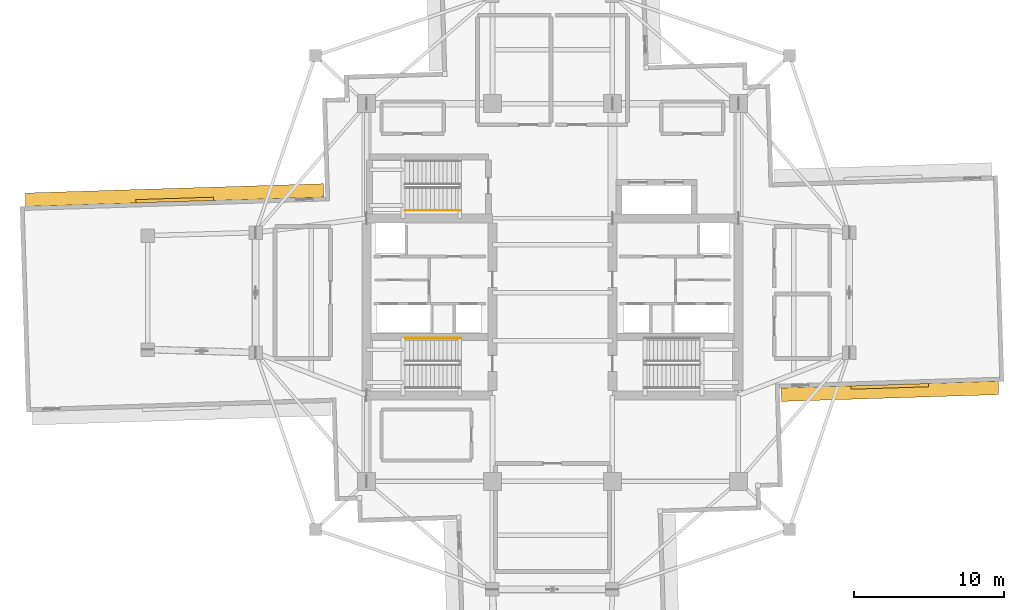
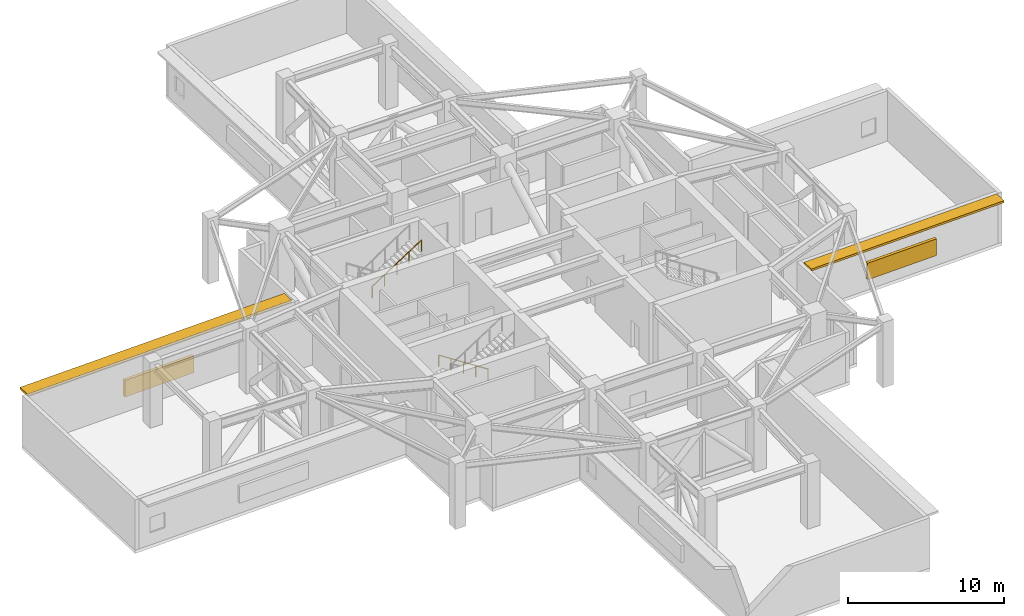
# One storey, part 15 of 17: 4 shading devices, 2 railings.
"""IFC4 building model written with IfcOpenShell, lengths in metres."""

from ifc_helpers import new_model, si_unit, direction, frame, origin, origin_2d, place, context, subcontext, project, spatial, rectangle, circle, extrude, material, layer, layer_set, type_object, element, save


model = new_model("IFC4")

# Units and contexts
model_context = context("Model", 3, precision=1e-05, world=origin(), true_north=direction((0.0, 1.0)))
body_context = subcontext(model_context, "Body", "Model", "MODEL_VIEW")
ifc_project = project(units=[si_unit("LENGTHUNIT", "METRE"), si_unit("AREAUNIT", "SQUARE_METRE"), si_unit("VOLUMEUNIT", "CUBIC_METRE"), si_unit("PLANEANGLEUNIT", "RADIAN"), si_unit("MASSUNIT", "GRAM", prefix="KILO")], contexts=[model_context])

# Site, building, storey
site_placement = place(None, origin())
site = spatial("IfcSite", under=ifc_project, at=site_placement, CompositionType="ELEMENT")
building_placement = place(site_placement, origin())
building = spatial("IfcBuilding", under=site, at=building_placement, Name="Qingluan Cross Belvedere", CompositionType="ELEMENT")
storey_placement = place(building_placement, frame((0.0, 0.0, 191.699951171875)))
storey = spatial("IfcBuildingStorey", under=building, at=storey_placement, Name="L48", CompositionType="ELEMENT", Elevation=191.699951171875)

# Shading devices
ifc_material_1 = material(Name="Precast concrete C45", Category="concrete")
ifc_layer_1 = layer(ifc_material_1, 0.159912109375, Name="ConcreteSunshadeBand_900")
ifc_layer_set_1 = layer_set([ifc_layer_1], Name="Precast concrete C45")
shading_device_type_1 = type_object("IfcShadingDeviceType", Name="ConcreteSunshadeBand_900", PredefinedType="USERDEFINED", material=ifc_layer_set_1)
shading_device_1_placement = place(storey_placement, frame((22.508056640625, -6.586181640625, 3.75), z_axis=(0.0, 0.0, 1.0), x_axis=(0.999506645453, 0.031408051437, 0.0)))
element("IfcShadingDevice", 1, at=shading_device_1_placement, inside=storey, type_object=shading_device_type_1, Name="Concrete SUNSHADE L48-EA", ObjectType="SUNSHADE", PredefinedType="USERDEFINED", context=body_context, shape_type="SweptSolid", body=[
    extrude(rectangle(XDim=14.5, YDim=0.89990234375, at=origin_2d()), origin(), (0.0, 0.0, 1.0), 0.159912109375),
])
shading_device_2_placement = place(storey_placement, frame((-25.206787109375, 6.50146484375, 3.75), z_axis=(0.0, 0.0, 1.0), x_axis=(-0.999506649124, -0.031407934627, 0.0)))
element("IfcShadingDevice", 2, at=shading_device_2_placement, inside=storey, type_object=shading_device_type_1, Name="Concrete SUNSHADE L48-WA", ObjectType="SUNSHADE", PredefinedType="USERDEFINED", context=body_context, shape_type="SweptSolid", body=[
    extrude(rectangle(XDim=19.89990234375, YDim=0.89990234375, at=origin_2d()), origin(), (0.0, 0.0, 1.0), 0.159912109375),
])
ifc_material_2 = material(Name="Anodised aluminium acoustic louvre screen", Category="aluminium")
ifc_layer_2 = layer(ifc_material_2, 0.219970703125, Name="RefugeAcousticLouvre_Screen")
ifc_layer_set_2 = layer_set([ifc_layer_2], Name="Anodised aluminium acoustic louvre screen")
shading_device_type_2 = type_object("IfcShadingDeviceType", Name="RefugeAcousticLouvre_Screen", PredefinedType="JALOUSIE", material=ifc_layer_set_2)
for number, where, z_axis, x_axis, name in (
    (3, (22.49755859375, -6.25634765625, 0.9501953125), (0.0, 0.0, 1.0), (0.999506645453, 0.031408051437, 0.0), "Plant acoustic louvre SCREEN L48-EA"),
    (4, (-25.1962890625, 6.171630859375, 0.9501953125), (0.0, 0.0, 1.0), (-0.999506649124, -0.031407934627, 0.0), "Plant acoustic louvre SCREEN L48-WA"),
):
    element("IfcShadingDevice", number, at=place(storey_placement, frame(where, z_axis=z_axis, x_axis=x_axis)), inside=storey, type_object=shading_device_type_2, Name=name, PredefinedType="JALOUSIE", context=body_context, shape_type="SweptSolid", body=[
        extrude(rectangle(XDim=5.199951171875, YDim=0.219970703125, at=origin_2d()), origin(), (0.0, 0.0, 1.0), 1.300048828125),
    ])

# Railings
ifc_material_3 = material(Name="Brushed stainless steel tubular handrail", Category="steel")
railing_type = type_object("IfcRailingType", Name="StairPitchHandrail_900", PredefinedType="HANDRAIL", material=ifc_material_3)
railing_1_placement = place(storey_placement, frame((-6.179931640625, -3.050048828125, 0.18212890625)))
element("IfcRailing", 5, at=railing_1_placement, inside=storey, type_object=railing_type, Name="L48 ST1 stair handrail 1", PredefinedType="HANDRAIL", context=body_context, shape_type="SweptSolid", body=[
    extrude(circle(Radius=0.02392578125, at=origin_2d()), frame((0.0, 0.0, 0.8759765625), z_axis=(-0.83825089185, 0.0, 0.545284735081), x_axis=(0.0, -1.0, 0.0)), (0.0, 0.0, 1.0), 4.342529296875),
    extrude(circle(Radius=0.02099609375, at=origin_2d()), origin(), (0.0, 0.0, 1.0), 0.851806640625),
    extrude(circle(Radius=0.02099609375, at=origin_2d()), frame((-0.91015625, 0.0, 0.592041015625)), (0.0, 0.0, 1.0), 0.851806640625),
    extrude(circle(Radius=0.02099609375, at=origin_2d()), frame((-1.820068359375, 0.0, 1.18408203125)), (0.0, 0.0, 1.0), 0.851806640625),
    extrude(circle(Radius=0.02099609375, at=origin_2d()), frame((-2.72998046875, 0.0, 1.77587890625)), (0.0, 0.0, 1.0), 0.851806640625),
    extrude(circle(Radius=0.02099609375, at=origin_2d()), frame((-3.64013671875, 0.0, 2.367919921875)), (0.0, 0.0, 1.0), 0.851806640625),
])
railing_2_placement = place(storey_placement, frame((-9.820068359375, 5.469970703125, 2.732177734375)))
element("IfcRailing", 6, at=railing_2_placement, inside=storey, type_object=railing_type, Name="L48 ST3 stair handrail 2", PredefinedType="HANDRAIL", context=body_context, shape_type="SweptSolid", body=[
    extrude(circle(Radius=0.02392578125, at=origin_2d()), frame((0.0, 0.0, 0.8759765625), z_axis=(0.83825089185, 0.0, 0.545284735081), x_axis=(0.0, 1.0, 0.0)), (0.0, 0.0, 1.0), 4.342529296875),
    extrude(circle(Radius=0.02099609375, at=origin_2d()), origin(), (0.0, 0.0, 1.0), 0.851806640625),
    extrude(circle(Radius=0.02099609375, at=origin_2d()), frame((0.91015625, 0.0, 0.592041015625)), (0.0, 0.0, 1.0), 0.851806640625),
    extrude(circle(Radius=0.02099609375, at=origin_2d()), frame((1.820068359375, 0.0, 1.18408203125)), (0.0, 0.0, 1.0), 0.851806640625),
    extrude(circle(Radius=0.02099609375, at=origin_2d()), frame((2.72998046875, 0.0, 1.77587890625)), (0.0, 0.0, 1.0), 0.851806640625),
    extrude(circle(Radius=0.02099609375, at=origin_2d()), frame((3.64013671875, 0.0, 2.367919921875)), (0.0, 0.0, 1.0), 0.851806640625),
])

save(model, "model.ifc")
